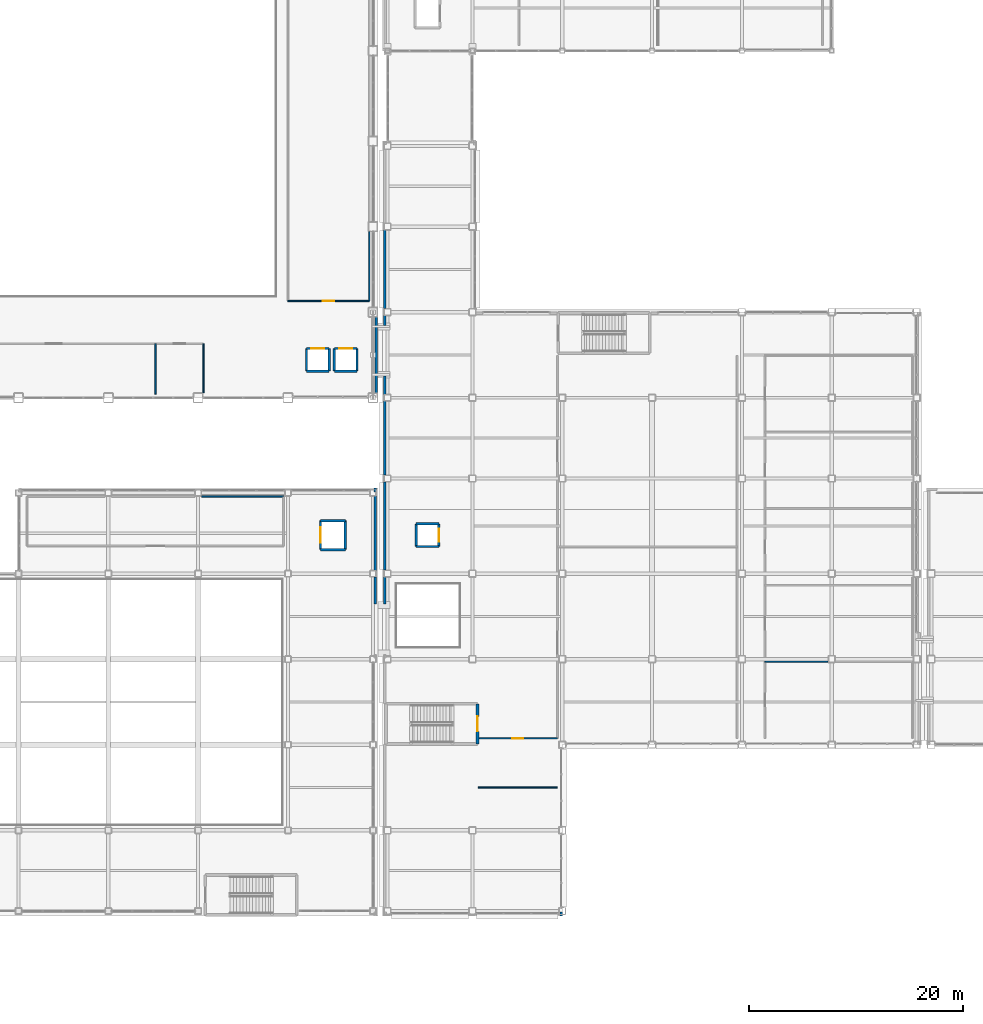
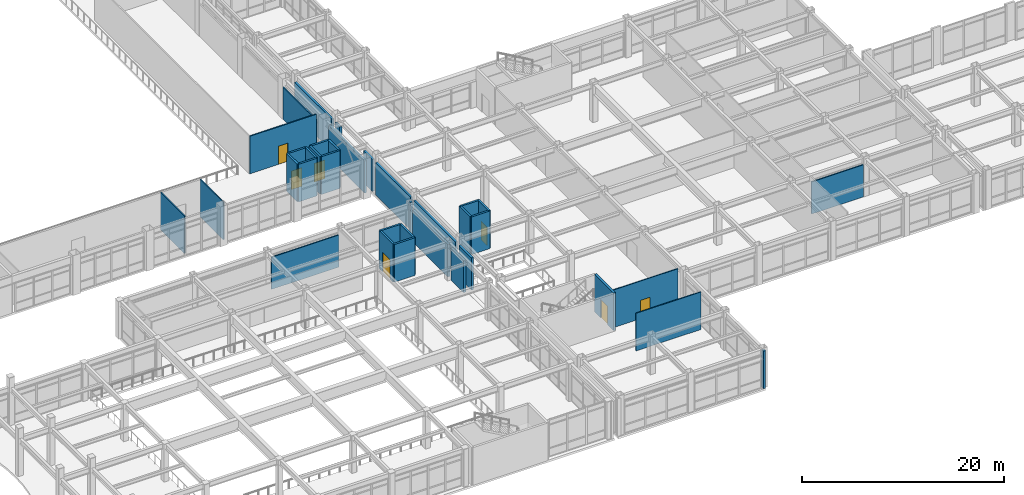
# One storey, part 143 of 172: 36 walls, 7 doors, 7 openings.
"""IFC4 building model written with IfcOpenShell, lengths in metres."""

from ifc_helpers import new_model, si_unit, direction, frame, frame_2d, origin, place, context, subcontext, project, spatial, rectangle, extrude, material, layer, layer_set, type_object, element, fill, save


model = new_model("IFC4")

# Units and contexts
model_context = context("Model", 3, precision=1e-05, world=origin(), true_north=direction((0.0, 1.0)))
body_context = subcontext(model_context, "Body", "Model", "MODEL_VIEW")
ifc_project = project(units=[si_unit("LENGTHUNIT", "METRE"), si_unit("AREAUNIT", "SQUARE_METRE"), si_unit("VOLUMEUNIT", "CUBIC_METRE"), si_unit("PLANEANGLEUNIT", "RADIAN"), si_unit("MASSUNIT", "GRAM", prefix="KILO")], contexts=[model_context])

# Site, building, storey
site_placement = place(None, origin())
site = spatial("IfcSite", under=ifc_project, at=site_placement, CompositionType="ELEMENT")
building_placement = place(site_placement, origin())
building = spatial("IfcBuilding", under=site, at=building_placement, Name="Kazehara Bluff Congress Hotel", CompositionType="ELEMENT")
storey_placement = place(building_placement, frame((0.0, 0.0, 5.39990234375)))
storey = spatial("IfcBuildingStorey", under=building, at=storey_placement, Name="L01", CompositionType="ELEMENT", Elevation=5.39990234375)

# Wall, opening, door
ifc_material_1 = material(Name="Concrete C40/50", Category="concrete")
ifc_layer_1 = layer(ifc_material_1, 0.25)
ifc_layer_set_1 = layer_set([ifc_layer_1], Name="Concrete C40/50")
wall_type_1 = type_object("IfcWallType", Name="TP-CW-RC", PredefinedType="SHEAR", material=ifc_layer_set_1)
wall_1_placement = place(storey_placement, frame((68.125, 19.824951171875, 0.0), z_axis=(0.0, 0.0, 1.0), x_axis=(0.0, -1.0, 0.0)))
wall_1 = element("IfcWall", 1, at=wall_1_placement, inside=storey, type_object=wall_type_1, Name="L01 ST-08 core wall near", PredefinedType="SHEAR", context=body_context, shape_type="SweptSolid", body=[
    extrude(rectangle(XDim=3.75, YDim=0.25, at=frame_2d((1.875, 0.0))), origin(), (0.0, 0.0, 1.0), 4.550048828125),
])
opening_1_placement = place(wall_1_placement, frame((1.175048828125, 0.0, 0.0)))
opening_1 = element("IfcOpeningElement", 2, at=opening_1_placement, cuts=wall_1, Name="Opening FD-03", PredefinedType="OPENING", context=body_context, shape_type="SweptSolid", body=[
    extrude(rectangle(XDim=1.39990234375, YDim=2.25, at=frame_2d((0.699951171875, 1.125))), frame((0.0, 0.135009765625, 0.0), z_axis=(0.0, -1.0, 0.0), x_axis=(1.0, 0.0, 0.0)), (0.0, 0.0, 1.0), 0.27001953125),
])
ifc_material_2 = material(Name="Fire-rated painted steel leaf", Category="steel")
door_type_1 = type_object("IfcDoorType", Name="TP-FD-03", OperationType="NOTDEFINED", PredefinedType="DOOR", material=ifc_material_2)
door_1_placement = place(opening_1_placement, origin())
door_1 = element("IfcDoor", 3, at=door_1_placement, inside=storey, type_object=door_type_1, Name="L01 ST-08 fire stair door", OperationType="SINGLE_SWING_LEFT", OverallHeight=2.25, OverallWidth=1.39990234375, PredefinedType="DOOR", context=body_context, shape_type="SweptSolid", body=[
    extrude(rectangle(XDim=1.39990234375, YDim=2.25, at=frame_2d((0.699951171875, 1.125))), frame((0.0, 0.02490234375, 0.0), z_axis=(0.0, -1.0, 0.0), x_axis=(1.0, 0.0, 0.0)), (0.0, 0.0, 1.0), 0.050048828125),
])
fill(opening_1, door_1)

# Walls
ifc_material_3 = material(Name="Precast concrete C40/50", Category="concrete")
ifc_layer_2 = layer(ifc_material_3, 0.239990234375)
ifc_layer_set_2 = layer_set([ifc_layer_2], Name="Precast concrete C40/50")
wall_type_2 = type_object("IfcWallType", Name="TP-EW-240", PredefinedType="SOLIDWALL", material=ifc_layer_set_2)
wall_2_placement = place(storey_placement, frame((58.669921875, 48.89990234375, 0.0), z_axis=(0.0, 0.0, 1.0), x_axis=(0.0, 1.0, 0.0)))
element("IfcWall", 4, at=wall_2_placement, inside=storey, type_object=wall_type_2, Name="L01 braced-bay recessed facade wall 4", PredefinedType="SOLIDWALL", context=body_context, shape_type="SweptSolid", body=[
    extrude(rectangle(XDim=7.10009765625, YDim=0.239990234375, at=frame_2d((3.550048828125, 0.0))), origin(), (0.0, 0.0, 1.0), 3.875),
])
wall_3_placement = place(storey_placement, frame((58.580078125, 31.699951171875, 0.0), z_axis=(0.0, 0.0, 1.0), x_axis=(0.0, -1.0, 0.0)))
element("IfcWall", 5, at=wall_3_placement, inside=storey, type_object=wall_type_2, Name="L01 V2 perimeter spandrel pier 567", PredefinedType="SOLIDWALL", context=body_context, shape_type="SweptSolid", body=[
    extrude(rectangle(XDim=2.550048828125, YDim=0.239990234375, at=frame_2d((1.27490234375, 0.0))), origin(), (0.0, 0.0, 1.0), 3.875),
])
wall_4_placement = place(storey_placement, frame((58.580078125, 39.25, 0.0), z_axis=(0.0, 0.0, 1.0), x_axis=(0.0, -1.0, 0.0)))
element("IfcWall", 6, at=wall_4_placement, inside=storey, type_object=wall_type_2, Name="L01 V2 perimeter spandrel pier 568", PredefinedType="SOLIDWALL", context=body_context, shape_type="SweptSolid", body=[
    extrude(rectangle(XDim=6.949951171875, YDim=0.239990234375, at=frame_2d((3.47509765625, 0.0))), origin(), (0.0, 0.0, 1.0), 3.875),
])
for number, where, z_axis, x_axis, name in (
    (7, (58.580078125, 40.0, 0.0), (0.0, 0.0, 1.0), (0.0, -1.0, 0.0), "L01 V2 perimeter spandrel pier 569"),
    (8, (75.949951171875, 0.360107421875, 0.0), (0.0, 0.0, 1.0), (0.0, -1.0, 0.0), "L01 V4 perimeter spandrel pier 585"),
):
    element("IfcWall", number, at=place(storey_placement, frame(where, z_axis=z_axis, x_axis=x_axis)), inside=storey, type_object=wall_type_2, Name=name, PredefinedType="SOLIDWALL", context=body_context, shape_type="SweptSolid", body=[
        extrude(rectangle(XDim=0.360107421875, YDim=0.239990234375, at=frame_2d((0.18017578125, 0.0))), origin(), (0.0, 0.0, 1.0), 4.53515625),
    ])
wall_5_placement = place(storey_placement, frame((59.469970703125, 55.199951171875, 0.0), z_axis=(0.0, 0.0, 1.0), x_axis=(0.0, 1.0, 0.0)))
element("IfcWall", 9, at=wall_5_placement, inside=storey, type_object=wall_type_2, Name="L01 V4 perimeter spandrel pier 595", PredefinedType="SOLIDWALL", context=body_context, shape_type="SweptSolid", body=[
    extrude(rectangle(XDim=0.925048828125, YDim=0.239990234375, at=frame_2d((0.46240234375, 0.0))), origin(), (0.0, 0.0, 1.0), 3.875),
])
wall_6_placement = place(storey_placement, frame((59.469970703125, 56.77490234375, 0.0), z_axis=(0.0, 0.0, 1.0), x_axis=(0.0, 1.0, 0.0)))
element("IfcWall", 10, at=wall_6_placement, inside=storey, type_object=wall_type_2, Name="L01 V4 perimeter spandrel pier 596", PredefinedType="SOLIDWALL", context=body_context, shape_type="SweptSolid", body=[
    extrude(rectangle(XDim=7.35009765625, YDim=0.239990234375, at=frame_2d((3.675048828125, 0.0))), origin(), (0.0, 0.0, 1.0), 3.875),
])
wall_7_placement = place(storey_placement, frame((59.469970703125, 29.14990234375, 0.0), z_axis=(0.0, 0.0, 1.0), x_axis=(0.0, 1.0, 0.0)))
element("IfcWall", 11, at=wall_7_placement, inside=storey, type_object=wall_type_2, Name="L01 V4 perimeter spandrel pier 598", PredefinedType="SOLIDWALL", context=body_context, shape_type="SweptSolid", body=[
    extrude(rectangle(XDim=2.525146484375, YDim=0.239990234375, at=frame_2d((1.2626953125, 0.0))), origin(), (0.0, 0.0, 1.0), 3.875),
])
wall_8_placement = place(storey_placement, frame((59.469970703125, 32.324951171875, 0.0), z_axis=(0.0, 0.0, 1.0), x_axis=(0.0, 1.0, 0.0)))
element("IfcWall", 12, at=wall_8_placement, inside=storey, type_object=wall_type_2, Name="L01 V4 perimeter spandrel pier 599", PredefinedType="SOLIDWALL", context=body_context, shape_type="SweptSolid", body=[
    extrude(rectangle(XDim=8.25, YDim=0.239990234375, at=frame_2d((4.125, 0.0))), origin(), (0.0, 0.0, 1.0), 3.875),
])
wall_9_placement = place(storey_placement, frame((59.469970703125, 41.22509765625, 0.0), z_axis=(0.0, 0.0, 1.0), x_axis=(0.0, 1.0, 0.0)))
element("IfcWall", 13, at=wall_9_placement, inside=storey, type_object=wall_type_2, Name="L01 V4 perimeter spandrel pier 600", PredefinedType="SOLIDWALL", context=body_context, shape_type="SweptSolid", body=[
    extrude(rectangle(XDim=6.89990234375, YDim=0.239990234375, at=frame_2d((3.449951171875, 0.0))), origin(), (0.0, 0.0, 1.0), 3.875),
])
wall_10_placement = place(storey_placement, frame((59.469970703125, 48.77490234375, 0.0), z_axis=(0.0, 0.0, 1.0), x_axis=(0.0, 1.0, 0.0)))
element("IfcWall", 14, at=wall_10_placement, inside=storey, type_object=wall_type_2, Name="L01 V4 perimeter spandrel pier 601", PredefinedType="SOLIDWALL", context=body_context, shape_type="SweptSolid", body=[
    extrude(rectangle(XDim=1.72509765625, YDim=0.239990234375, at=frame_2d((0.862548828125, 0.0))), origin(), (0.0, 0.0, 1.0), 3.875),
])
ifc_material_4 = material(Name="Fire-rated gypsum board stud partition")
ifc_layer_3 = layer(ifc_material_4, 0.110107421875)
ifc_layer_set_3 = layer_set([ifc_layer_3], Name="Fire-rated gypsum board stud partition")
wall_type_3 = type_object("IfcWallType", Name="TP-PT-110", PredefinedType="PARTITIONING", material=ifc_layer_set_3)
wall_11_placement = place(storey_placement, frame((68.199951171875, 12.0, 0.0), z_axis=(0.0, 0.0, 1.0), x_axis=(1.0, 0.0, 0.0)))
element("IfcWall", 15, at=wall_11_placement, inside=storey, type_object=wall_type_3, Name="L01 partition PT-110 135", PredefinedType="PARTITIONING", context=body_context, shape_type="SweptSolid", body=[
    extrude(rectangle(XDim=7.400146484375, YDim=0.110107421875, at=frame_2d((3.7001953125, 0.0))), origin(), (0.0, 0.0, 1.0), 4.53515625),
])

# Wall, opening, door
wall_12_placement = place(storey_placement, frame((68.199951171875, 16.60009765625, 0.0), z_axis=(0.0, 0.0, 1.0), x_axis=(1.0, 0.0, 0.0)))
wall_12 = element("IfcWall", 16, at=wall_12_placement, inside=storey, type_object=wall_type_3, Name="L01 partition PT-110 136", PredefinedType="PARTITIONING", context=body_context, shape_type="SweptSolid", body=[
    extrude(rectangle(XDim=7.400146484375, YDim=0.110107421875, at=frame_2d((3.7001953125, 0.0))), origin(), (0.0, 0.0, 1.0), 4.53515625),
])
opening_2_placement = place(wall_12_placement, frame((3.175048828125, 0.0, 0.0)))
opening_2 = element("IfcOpeningElement", 17, at=opening_2_placement, cuts=wall_12, Name="Opening ID-02", PredefinedType="OPENING", context=body_context, shape_type="SweptSolid", body=[
    extrude(rectangle(XDim=1.050048828125, YDim=2.199951171875, at=frame_2d((0.52490234375, 1.10009765625))), frame((0.0, 0.06494140625, 0.0), z_axis=(0.0, -1.0, 0.0), x_axis=(1.0, 0.0, 0.0)), (0.0, 0.0, 1.0), 0.130126953125),
])
ifc_material_5 = material(Name="Architectural oak veneer leaf")
door_type_2 = type_object("IfcDoorType", Name="TP-ID-02", OperationType="NOTDEFINED", PredefinedType="DOOR", material=ifc_material_5)
door_2_placement = place(opening_2_placement, origin())
door_2 = element("IfcDoor", 18, at=door_2_placement, inside=storey, type_object=door_type_2, Name="L01 L01 Meeting Accessible WC door", OperationType="SINGLE_SWING_RIGHT", OverallHeight=2.199951171875, OverallWidth=1.050048828125, PredefinedType="DOOR", context=body_context, shape_type="SweptSolid", body=[
    extrude(rectangle(XDim=1.050048828125, YDim=2.199951171875, at=frame_2d((0.52490234375, 1.10009765625))), frame((0.0, 0.02490234375, 0.0), z_axis=(0.0, -1.0, 0.0), x_axis=(1.0, 0.0, 0.0)), (0.0, 0.0, 1.0), 0.050048828125),
])
fill(opening_2, door_2)

# Walls
wall_13_placement = place(storey_placement, frame((42.5, 48.919921875, 0.0), z_axis=(0.0, 0.0, 1.0), x_axis=(0.0, 1.0, 0.0)))
element("IfcWall", 19, at=wall_13_placement, inside=storey, type_object=wall_type_3, Name="L01 partition PT-110 165", PredefinedType="PARTITIONING", context=body_context, shape_type="SweptSolid", body=[
    extrude(rectangle(XDim=4.580078125, YDim=0.110107421875, at=frame_2d((2.2900390625, 0.0))), origin(), (0.0, 0.0, 1.0), 4.53515625),
])
ifc_material_6 = material(Name="Fire-rated gypsum board stud partition")
ifc_layer_4 = layer(ifc_material_6, 0.1298828125)
ifc_layer_set_4 = layer_set([ifc_layer_4], Name="Fire-rated gypsum board stud partition")
wall_type_4 = type_object("IfcWallType", Name="TP-PT-130", PredefinedType="PARTITIONING", material=ifc_layer_set_4)
wall_14_placement = place(storey_placement, frame((95.0, 23.760009765625, 0.0), z_axis=(0.0, 0.0, 1.0), x_axis=(1.0, 0.0, 0.0)))
element("IfcWall", 20, at=wall_14_placement, inside=storey, type_object=wall_type_4, Name="L01 partition PT-130 137", PredefinedType="PARTITIONING", context=body_context, shape_type="SweptSolid", body=[
    extrude(rectangle(XDim=5.905029296875, YDim=0.1298828125, at=frame_2d((2.95263671875, 0.0))), origin(), (0.0, 0.0, 1.0), 3.875),
])
wall_15_placement = place(storey_placement, frame((42.320068359375, 39.199951171875, 0.0), z_axis=(0.0, 0.0, 1.0), x_axis=(1.0, 0.0, 0.0)))
element("IfcWall", 21, at=wall_15_placement, inside=storey, type_object=wall_type_4, Name="L01 partition PT-130 146", PredefinedType="PARTITIONING", context=body_context, shape_type="SweptSolid", body=[
    extrude(rectangle(XDim=7.679931640625, YDim=0.1298828125, at=frame_2d((3.83984375, 0.0))), origin(), (0.0, 0.0, 1.0), 3.875),
])

# Wall, opening, door
wall_16_placement = place(storey_placement, frame((50.39990234375, 57.5, 0.0), z_axis=(0.0, 0.0, 1.0), x_axis=(1.0, 0.0, 0.0)))
wall_16 = element("IfcWall", 22, at=wall_16_placement, inside=storey, type_object=wall_type_4, Name="L01 partition PT-130 153", PredefinedType="PARTITIONING", context=body_context, shape_type="SweptSolid", body=[
    extrude(rectangle(XDim=7.60009765625, YDim=0.1298828125, at=frame_2d((3.800048828125, 0.0))), origin(), (0.0, 0.0, 1.0), 4.53515625),
])
opening_3_placement = place(wall_16_placement, frame((3.27490234375, 0.0, 0.0)))
opening_3 = element("IfcOpeningElement", 23, at=opening_3_placement, cuts=wall_16, Name="Opening ID-02", PredefinedType="OPENING", context=body_context, shape_type="SweptSolid", body=[
    extrude(rectangle(XDim=1.050048828125, YDim=2.199951171875, at=frame_2d((0.52490234375, 1.10009765625))), frame((0.0, 0.074951171875, 0.0), z_axis=(0.0, -1.0, 0.0), x_axis=(1.0, 0.0, 0.0)), (0.0, 0.0, 1.0), 0.14990234375),
])
door_3_placement = place(opening_3_placement, origin())
door_3 = element("IfcDoor", 24, at=door_3_placement, inside=storey, type_object=door_type_2, Name="L01 Principal Speaker's Dressing Suite door", OperationType="SINGLE_SWING_RIGHT", OverallHeight=2.199951171875, OverallWidth=1.050048828125, PredefinedType="DOOR", context=body_context, shape_type="SweptSolid", body=[
    extrude(rectangle(XDim=1.050048828125, YDim=2.199951171875, at=frame_2d((0.52490234375, 1.10009765625))), frame((0.0, 0.02490234375, 0.0), z_axis=(0.0, -1.0, 0.0), x_axis=(1.0, 0.0, 0.0)), (0.0, 0.0, 1.0), 0.050048828125),
])
fill(opening_3, door_3)

# Walls
wall_17_placement = place(storey_placement, frame((38.0, 48.800048828125, 0.0), z_axis=(0.0, 0.0, 1.0), x_axis=(0.0, 1.0, 0.0)))
element("IfcWall", 25, at=wall_17_placement, inside=storey, type_object=wall_type_4, Name="L01 partition PT-130 164", PredefinedType="PARTITIONING", context=body_context, shape_type="SweptSolid", body=[
    extrude(rectangle(XDim=4.699951171875, YDim=0.1298828125, at=frame_2d((2.35009765625, 0.0))), origin(), (0.0, 0.0, 1.0), 4.53515625),
])
wall_18_placement = place(storey_placement, frame((58.0, 57.5, 0.0), z_axis=(0.0, 0.0, 1.0), x_axis=(0.0, 1.0, 0.0)))
element("IfcWall", 26, at=wall_18_placement, inside=storey, type_object=wall_type_4, Name="L01 partition PT-130 168", PredefinedType="PARTITIONING", context=body_context, shape_type="SweptSolid", body=[
    extrude(rectangle(XDim=6.47998046875, YDim=0.1298828125, at=frame_2d((3.239990234375, 0.0))), origin(), (0.0, 0.0, 1.0), 3.875),
])

# Wall, opening, door
ifc_material_7 = material(Name="Concrete C40/50", Category="concrete")
ifc_layer_5 = layer(ifc_material_7, 0.219970703125)
ifc_layer_set_5 = layer_set([ifc_layer_5], Name="Concrete C40/50")
wall_type_5 = type_object("IfcWallType", Name="TP-SW-RC", PredefinedType="SHEAR", material=ifc_layer_set_5)
wall_19_placement = place(storey_placement, frame((52.139892578125, 53.06005859375, 0.0), z_axis=(0.0, 0.0, 1.0), x_axis=(1.0, 0.0, 0.0)))
wall_19 = element("IfcWall", 27, at=wall_19_placement, inside=storey, type_object=wall_type_5, Name="L01 EL-C1 lift shaft wall +Y", PredefinedType="SHEAR", context=body_context, shape_type="SweptSolid", body=[
    extrude(rectangle(XDim=2.1201171875, YDim=0.219970703125, at=frame_2d((1.06005859375, 0.0))), origin(), (0.0, 0.0, 1.0), 4.550048828125),
])
opening_4_placement = place(wall_19_placement, frame((0.4599609375, 0.0, 0.0)))
opening_4 = element("IfcOpeningElement", 28, at=opening_4_placement, cuts=wall_19, Name="Opening LD-02", PredefinedType="OPENING", context=body_context, shape_type="SweptSolid", body=[
    extrude(rectangle(XDim=1.199951171875, YDim=2.25, at=frame_2d((0.60009765625, 1.125))), frame((0.0, 0.119873046875, 0.0), z_axis=(0.0, -1.0, 0.0), x_axis=(1.0, 0.0, 0.0)), (0.0, 0.0, 1.0), 0.239990234375),
])
ifc_material_8 = material(Name="Fire-rated painted steel leaf", Category="steel")
door_type_3 = type_object("IfcDoorType", Name="TP-LD-02", OperationType="SLIDING_TO_LEFT", PredefinedType="DOOR", material=ifc_material_8)
door_4_placement = place(opening_4_placement, origin())
door_4 = element("IfcDoor", 29, at=door_4_placement, inside=storey, type_object=door_type_3, Name="L01 EL-C1 elevator landing door", OperationType="SLIDING_TO_LEFT", OverallHeight=2.25, OverallWidth=1.199951171875, PredefinedType="DOOR", context=body_context, shape_type="SweptSolid", body=[
    extrude(rectangle(XDim=1.199951171875, YDim=2.25, at=frame_2d((0.60009765625, 1.125))), frame((0.0, 0.02490234375, 0.0), z_axis=(0.0, -1.0, 0.0), x_axis=(1.0, 0.0, 0.0)), (0.0, 0.0, 1.0), 0.050048828125),
])
fill(opening_4, door_4)

# Walls
for number, where, z_axis, x_axis, name in (
    (30, (52.139892578125, 50.93994140625, 0.0), (0.0, 0.0, 1.0), (1.0, 0.0, 0.0), "L01 EL-C1 lift shaft wall -Y"),
    (31, (54.260009765625, 50.93994140625, 0.0), (0.0, 0.0, 1.0), (0.0, 1.0, 0.0), "L01 EL-C1 lift shaft wall +X"),
    (32, (52.139892578125, 50.93994140625, 0.0), (0.0, 0.0, 1.0), (0.0, 1.0, 0.0), "L01 EL-C1 lift shaft wall -X"),
):
    element("IfcWall", number, at=place(storey_placement, frame(where, z_axis=z_axis, x_axis=x_axis)), inside=storey, type_object=wall_type_5, Name=name, PredefinedType="SHEAR", context=body_context, shape_type="SweptSolid", body=[
        extrude(rectangle(XDim=2.1201171875, YDim=0.219970703125, at=frame_2d((1.06005859375, 0.0))), origin(), (0.0, 0.0, 1.0), 4.550048828125),
    ])

# Wall, opening, door
wall_20_placement = place(storey_placement, frame((54.739990234375, 53.06005859375, 0.0), z_axis=(0.0, 0.0, 1.0), x_axis=(1.0, 0.0, 0.0)))
wall_20 = element("IfcWall", 33, at=wall_20_placement, inside=storey, type_object=wall_type_5, Name="L01 EL-C2 lift shaft wall +Y", PredefinedType="SHEAR", context=body_context, shape_type="SweptSolid", body=[
    extrude(rectangle(XDim=2.1201171875, YDim=0.219970703125, at=frame_2d((1.06005859375, 0.0))), origin(), (0.0, 0.0, 1.0), 4.550048828125),
])
opening_5_placement = place(wall_20_placement, frame((0.4599609375, 0.0, 0.0)))
opening_5 = element("IfcOpeningElement", 34, at=opening_5_placement, cuts=wall_20, Name="Opening LD-02", PredefinedType="OPENING", context=body_context, shape_type="SweptSolid", body=[
    extrude(rectangle(XDim=1.199951171875, YDim=2.25, at=frame_2d((0.60009765625, 1.125))), frame((0.0, 0.119873046875, 0.0), z_axis=(0.0, -1.0, 0.0), x_axis=(1.0, 0.0, 0.0)), (0.0, 0.0, 1.0), 0.239990234375),
])
door_5_placement = place(opening_5_placement, origin())
door_5 = element("IfcDoor", 35, at=door_5_placement, inside=storey, type_object=door_type_3, Name="L01 EL-C2 elevator landing door", OperationType="SLIDING_TO_LEFT", OverallHeight=2.25, OverallWidth=1.199951171875, PredefinedType="DOOR", context=body_context, shape_type="SweptSolid", body=[
    extrude(rectangle(XDim=1.199951171875, YDim=2.25, at=frame_2d((0.60009765625, 1.125))), frame((0.0, 0.02490234375, 0.0), z_axis=(0.0, -1.0, 0.0), x_axis=(1.0, 0.0, 0.0)), (0.0, 0.0, 1.0), 0.050048828125),
])
fill(opening_5, door_5)

# Walls
for number, where, z_axis, x_axis, name in (
    (36, (54.739990234375, 50.93994140625, 0.0), (0.0, 0.0, 1.0), (1.0, 0.0, 0.0), "L01 EL-C2 lift shaft wall -Y"),
    (37, (56.860107421875, 50.93994140625, 0.0), (0.0, 0.0, 1.0), (0.0, 1.0, 0.0), "L01 EL-C2 lift shaft wall +X"),
    (38, (54.739990234375, 50.93994140625, 0.0), (0.0, 0.0, 1.0), (0.0, 1.0, 0.0), "L01 EL-C2 lift shaft wall -X"),
    (39, (62.389892578125, 36.659912109375, 0.0), (0.0, 0.0, 1.0), (1.0, 0.0, 0.0), "L01 EL-C3 lift shaft wall +Y"),
    (40, (62.389892578125, 34.5400390625, 0.0), (0.0, 0.0, 1.0), (1.0, 0.0, 0.0), "L01 EL-C3 lift shaft wall -Y"),
):
    element("IfcWall", number, at=place(storey_placement, frame(where, z_axis=z_axis, x_axis=x_axis)), inside=storey, type_object=wall_type_5, Name=name, PredefinedType="SHEAR", context=body_context, shape_type="SweptSolid", body=[
        extrude(rectangle(XDim=2.1201171875, YDim=0.219970703125, at=frame_2d((1.06005859375, 0.0))), origin(), (0.0, 0.0, 1.0), 4.550048828125),
    ])

# Wall, opening, door
wall_21_placement = place(storey_placement, frame((64.510009765625, 34.5400390625, 0.0), z_axis=(0.0, 0.0, 1.0), x_axis=(0.0, 1.0, 0.0)))
wall_21 = element("IfcWall", 41, at=wall_21_placement, inside=storey, type_object=wall_type_5, Name="L01 EL-C3 lift shaft wall +X", PredefinedType="SHEAR", context=body_context, shape_type="SweptSolid", body=[
    extrude(rectangle(XDim=2.119873046875, YDim=0.219970703125, at=frame_2d((1.06005859375, 0.0))), origin(), (0.0, 0.0, 1.0), 4.550048828125),
])
opening_6_placement = place(wall_21_placement, frame((0.4599609375, 0.0, 0.0)))
opening_6 = element("IfcOpeningElement", 42, at=opening_6_placement, cuts=wall_21, Name="Opening LD-02", PredefinedType="OPENING", context=body_context, shape_type="SweptSolid", body=[
    extrude(rectangle(XDim=1.199951171875, YDim=2.25, at=frame_2d((0.60009765625, 1.125))), frame((0.0, 0.119873046875, 0.0), z_axis=(0.0, -1.0, 0.0), x_axis=(1.0, 0.0, 0.0)), (0.0, 0.0, 1.0), 0.239990234375),
])
door_6_placement = place(opening_6_placement, origin())
door_6 = element("IfcDoor", 43, at=door_6_placement, inside=storey, type_object=door_type_3, Name="L01 EL-C3 elevator landing door", OperationType="SLIDING_TO_LEFT", OverallHeight=2.25, OverallWidth=1.199951171875, PredefinedType="DOOR", context=body_context, shape_type="SweptSolid", body=[
    extrude(rectangle(XDim=1.199951171875, YDim=2.25, at=frame_2d((0.60009765625, 1.125))), frame((0.0, 0.02490234375, 0.0), z_axis=(0.0, -1.0, 0.0), x_axis=(1.0, 0.0, 0.0)), (0.0, 0.0, 1.0), 0.050048828125),
])
fill(opening_6, door_6)

# Walls
wall_22_placement = place(storey_placement, frame((62.389892578125, 34.5400390625, 0.0), z_axis=(0.0, 0.0, 1.0), x_axis=(0.0, 1.0, 0.0)))
element("IfcWall", 44, at=wall_22_placement, inside=storey, type_object=wall_type_5, Name="L01 EL-C3 lift shaft wall -X", PredefinedType="SHEAR", context=body_context, shape_type="SweptSolid", body=[
    extrude(rectangle(XDim=2.119873046875, YDim=0.219970703125, at=frame_2d((1.06005859375, 0.0))), origin(), (0.0, 0.0, 1.0), 4.550048828125),
])
for number, where, z_axis, x_axis, name in (
    (45, (53.43994140625, 36.9599609375, 0.0), (0.0, 0.0, 1.0), (1.0, 0.0, 0.0), "L01 EL-S1 lift shaft wall +Y"),
    (46, (53.43994140625, 34.239990234375, 0.0), (0.0, 0.0, 1.0), (1.0, 0.0, 0.0), "L01 EL-S1 lift shaft wall -Y"),
):
    element("IfcWall", number, at=place(storey_placement, frame(where, z_axis=z_axis, x_axis=x_axis)), inside=storey, type_object=wall_type_5, Name=name, PredefinedType="SHEAR", context=body_context, shape_type="SweptSolid", body=[
        extrude(rectangle(XDim=2.320068359375, YDim=0.219970703125, at=frame_2d((1.16015625, 0.0))), origin(), (0.0, 0.0, 1.0), 4.550048828125),
    ])
wall_23_placement = place(storey_placement, frame((55.760009765625, 34.239990234375, 0.0), z_axis=(0.0, 0.0, 1.0), x_axis=(0.0, 1.0, 0.0)))
element("IfcWall", 47, at=wall_23_placement, inside=storey, type_object=wall_type_5, Name="L01 EL-S1 lift shaft wall +X", PredefinedType="SHEAR", context=body_context, shape_type="SweptSolid", body=[
    extrude(rectangle(XDim=2.719970703125, YDim=0.219970703125, at=frame_2d((1.35986328125, 0.0))), origin(), (0.0, 0.0, 1.0), 4.550048828125),
])

# Wall, opening, door
wall_24_placement = place(storey_placement, frame((53.43994140625, 34.239990234375, 0.0), z_axis=(0.0, 0.0, 1.0), x_axis=(0.0, 1.0, 0.0)))
wall_24 = element("IfcWall", 48, at=wall_24_placement, inside=storey, type_object=wall_type_5, Name="L01 EL-S1 lift shaft wall -X", PredefinedType="SHEAR", context=body_context, shape_type="SweptSolid", body=[
    extrude(rectangle(XDim=2.719970703125, YDim=0.219970703125, at=frame_2d((1.35986328125, 0.0))), origin(), (0.0, 0.0, 1.0), 4.550048828125),
])
opening_7_placement = place(wall_24_placement, frame((0.635009765625, 0.0, 0.0)))
opening_7 = element("IfcOpeningElement", 49, at=opening_7_placement, cuts=wall_24, Name="Opening LD-04", PredefinedType="OPENING", context=body_context, shape_type="SweptSolid", body=[
    extrude(rectangle(XDim=1.449951171875, YDim=2.35009765625, at=frame_2d((0.72509765625, 1.175048828125))), frame((0.0, 0.119873046875, 0.0), z_axis=(0.0, -1.0, 0.0), x_axis=(1.0, 0.0, 0.0)), (0.0, 0.0, 1.0), 0.239990234375),
])
ifc_material_9 = material(Name="Fire-rated painted steel leaf", Category="steel")
door_type_4 = type_object("IfcDoorType", Name="TP-LD-04", OperationType="SLIDING_TO_LEFT", PredefinedType="DOOR", material=ifc_material_9)
door_7_placement = place(opening_7_placement, origin())
door_7 = element("IfcDoor", 50, at=door_7_placement, inside=storey, type_object=door_type_4, Name="L01 EL-S1 elevator landing door", OperationType="SLIDING_TO_LEFT", OverallHeight=2.35009765625, OverallWidth=1.449951171875, PredefinedType="DOOR", context=body_context, shape_type="SweptSolid", body=[
    extrude(rectangle(XDim=1.449951171875, YDim=2.35009765625, at=frame_2d((0.72509765625, 1.175048828125))), frame((0.0, 0.02490234375, 0.0), z_axis=(0.0, -1.0, 0.0), x_axis=(1.0, 0.0, 0.0)), (0.0, 0.0, 1.0), 0.050048828125),
])
fill(opening_7, door_7)

save(model, "model.ifc")
